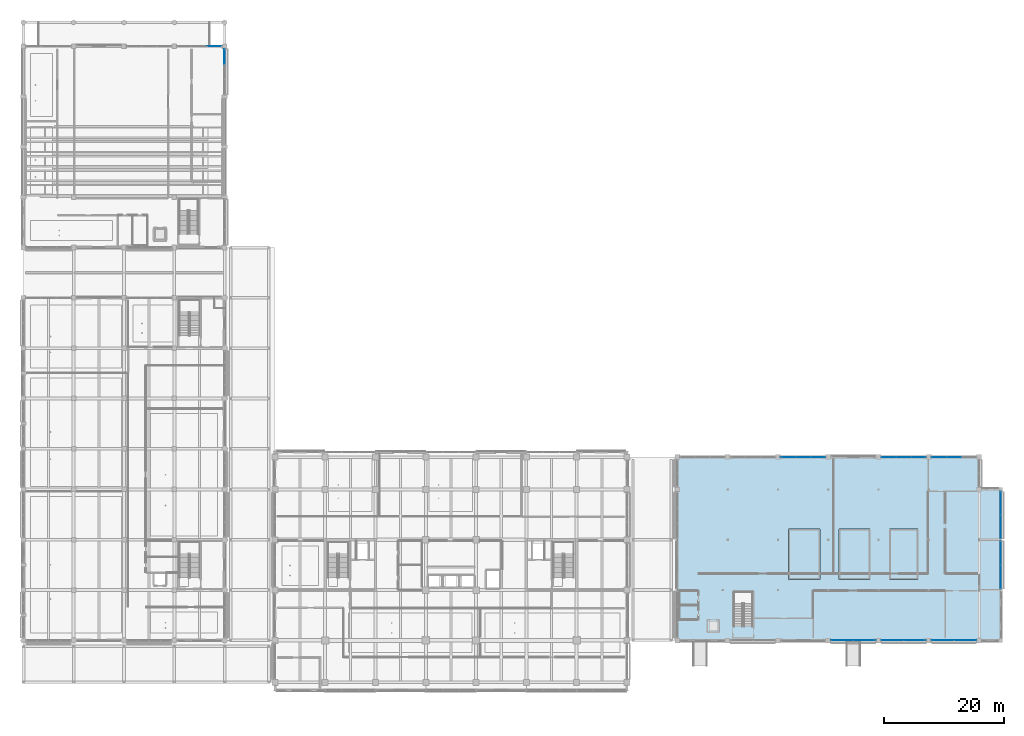
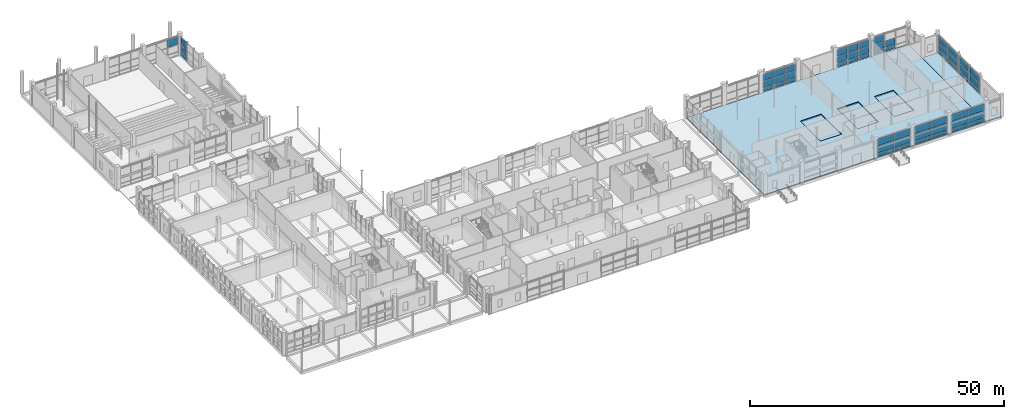
# One storey, part 51 of 140: 57 plates, 5 slabs, 10 elements without a shape of their own.
"""IFC4 building model written with IfcOpenShell, lengths in metres."""

from ifc_helpers import new_model, si_unit, direction, frame, origin, origin_2d, place, context, subcontext, project, spatial, polyline, rectangle, outline, extrude, material, layer, layer_set, type_object, element, aggregate, save


model = new_model("IFC4")

# Units and contexts
model_context = context("Model", 3, precision=1e-05, world=origin(), true_north=direction((0.0, 1.0)))
body_context = subcontext(model_context, "Body", "Model", "MODEL_VIEW")
ifc_project = project(units=[si_unit("LENGTHUNIT", "METRE"), si_unit("AREAUNIT", "SQUARE_METRE"), si_unit("VOLUMEUNIT", "CUBIC_METRE"), si_unit("PLANEANGLEUNIT", "RADIAN"), si_unit("MASSUNIT", "GRAM", prefix="KILO")], contexts=[model_context])

# Site, building, storey
site_placement = place(None, origin())
site = spatial("IfcSite", under=ifc_project, at=site_placement, CompositionType="ELEMENT")
building_placement = place(site_placement, origin())
building = spatial("IfcBuilding", under=site, at=building_placement, Name="Telukmera Botanical Conservatory", CompositionType="ELEMENT")
storey_placement = place(building_placement, origin())
storey = spatial("IfcBuildingStorey", under=building, at=storey_placement, Name="L00", CompositionType="ELEMENT", Elevation=0.0)

# Curtain wall, plate
ifc_material_1 = material(Name="Anodised aluminium 6063-T6", Category="aluminium")
ifc_layer_1 = layer(ifc_material_1, 0.179931640625)
ifc_layer_set_1 = layer_set([ifc_layer_1], Name="Anodised aluminium 6063-T6")
curtain_wall_type_1 = type_object("IfcCurtainWallType", Name="Auditorium Ground Foyer Acoustic Curtain Wall", PredefinedType="USERDEFINED", material=ifc_layer_set_1)
curtain_wall_1_placement = place(storey_placement, origin())
curtain_wall_1 = element("IfcCurtainWall", 1, at=curtain_wall_1_placement, inside=storey, type_object=curtain_wall_type_1, Name="Unitised Curtain Wall CW04 V2:L00:N4", ObjectType="UNITISED CURTAIN WALL", PredefinedType="USERDEFINED")
ifc_material_2 = material(Name="Spectrally selective low-E double glazing", Category="glass")
ifc_layer_2 = layer(ifc_material_2, 0.044921875)
ifc_layer_set_2 = layer_set([ifc_layer_2], Name="Spectrally selective low-E double glazing")
plate_type_1 = type_object("IfcPlateType", Name="Acoustic Triple Laminated Foyer Glazing Panel 45", PredefinedType="CURTAIN_PANEL", material=ifc_layer_set_2)
plate_1_placement = place(storey_placement, frame((40.314453125, 116.800048828125, 2.72509765625), z_axis=(0.0, 0.0, 1.0), x_axis=(1.0, 0.0, 0.0)))
plate_1 = element("IfcPlate", 2, at=plate_1_placement, type_object=plate_type_1, Name="CW04 panel 3.3", PredefinedType="CURTAIN_PANEL", context=body_context, shape_type="SweptSolid", body=[
    extrude(rectangle(XDim=2.427001953125, YDim=0.044921875, at=origin_2d()), origin(), (0.0, 0.0, 1.0), 1.77490234375),
])
aggregate(curtain_wall_1, [plate_1])

# Curtain wall, plates
curtain_wall_2_placement = place(storey_placement, origin())
curtain_wall_2 = element("IfcCurtainWall", 3, at=curtain_wall_2_placement, inside=storey, type_object=curtain_wall_type_1, Name="Unitised Curtain Wall CW04 V2:L00:E4", ObjectType="UNITISED CURTAIN WALL", PredefinedType="USERDEFINED")
plate_2_placement = place(storey_placement, frame((42.0, 115.097900390625, 0.14990234375), z_axis=(0.0, 0.0, 1.0), x_axis=(0.0, 1.0, 0.0)))
plate_2 = element("IfcPlate", 4, at=plate_2_placement, type_object=plate_type_1, Name="CW04 panel 3.1", PredefinedType="CURTAIN_PANEL", context=body_context, shape_type="SweptSolid", body=[
    extrude(rectangle(XDim=2.46044921875, YDim=0.044921875, at=origin_2d()), origin(), (0.0, 0.0, 1.0), 0.72509765625),
])
plate_3_placement = place(storey_placement, frame((42.0, 115.097900390625, 1.02490234375), z_axis=(0.0, 0.0, 1.0), x_axis=(0.0, 1.0, 0.0)))
plate_3 = element("IfcPlate", 5, at=plate_3_placement, type_object=plate_type_1, Name="CW04 panel 3.2", PredefinedType="CURTAIN_PANEL", context=body_context, shape_type="SweptSolid", body=[
    extrude(rectangle(XDim=2.46044921875, YDim=0.044921875, at=origin_2d()), origin(), (0.0, 0.0, 1.0), 1.550048828125),
])
plate_4_placement = place(storey_placement, frame((42.0, 115.097900390625, 2.72509765625), z_axis=(0.0, 0.0, 1.0), x_axis=(0.0, 1.0, 0.0)))
plate_4 = element("IfcPlate", 6, at=plate_4_placement, type_object=plate_type_1, Name="CW04 panel 3.3", PredefinedType="CURTAIN_PANEL", context=body_context, shape_type="SweptSolid", body=[
    extrude(rectangle(XDim=2.46044921875, YDim=0.044921875, at=origin_2d()), origin(), (0.0, 0.0, 1.0), 1.77490234375),
])
aggregate(curtain_wall_2, [plate_2, plate_3, plate_4])

ifc_layer_3 = layer(ifc_material_1, 0.179931640625)
ifc_layer_set_3 = layer_set([ifc_layer_3], Name="Anodised aluminium 6063-T6")
curtain_wall_type_2 = type_object("IfcCurtainWallType", Name="Conservatory Boulevard Unitised Curtain Wall 3600 Mod", PredefinedType="USERDEFINED", material=ifc_layer_set_3)
curtain_wall_3_placement = place(storey_placement, origin())
curtain_wall_3 = element("IfcCurtainWall", 7, at=curtain_wall_3_placement, inside=storey, type_object=curtain_wall_type_2, Name="Unitised Curtain Wall CW01 V1:L00:S4", ObjectType="UNITISED CURTAIN WALL", PredefinedType="USERDEFINED")
ifc_layer_4 = layer(ifc_material_2, 0.02392578125)
ifc_layer_set_4 = layer_set([ifc_layer_4], Name="Spectrally selective low-E double glazing")
plate_type_2 = type_object("IfcPlateType", Name="High Light Transmission Conservatory Glazing Panel 24", PredefinedType="CURTAIN_PANEL", material=ifc_layer_set_4)
plate_5_placement = place(storey_placement, frame((145.131103515625, 17.60009765625, 0.14990234375), z_axis=(0.0, 0.0, 1.0), x_axis=(1.0, 0.0, 0.0)))
plate_5 = element("IfcPlate", 8, at=plate_5_placement, type_object=plate_type_2, Name="CW01 panel 1.1", PredefinedType="CURTAIN_PANEL", context=body_context, shape_type="SweptSolid", body=[
    extrude(rectangle(XDim=3.66796875, YDim=0.02392578125, at=origin_2d()), origin(), (0.0, 0.0, 1.0), 0.72509765625),
])
plate_6_placement = place(storey_placement, frame((145.131103515625, 17.60009765625, 1.02490234375), z_axis=(0.0, 0.0, 1.0), x_axis=(1.0, 0.0, 0.0)))
plate_6 = element("IfcPlate", 9, at=plate_6_placement, type_object=plate_type_2, Name="CW01 panel 1.2", PredefinedType="CURTAIN_PANEL", context=body_context, shape_type="SweptSolid", body=[
    extrude(rectangle(XDim=3.66796875, YDim=0.02392578125, at=origin_2d()), origin(), (0.0, 0.0, 1.0), 1.550048828125),
])
plate_7_placement = place(storey_placement, frame((145.131103515625, 17.60009765625, 2.72509765625), z_axis=(0.0, 0.0, 1.0), x_axis=(1.0, 0.0, 0.0)))
plate_7 = element("IfcPlate", 10, at=plate_7_placement, type_object=plate_type_2, Name="CW01 panel 1.3", PredefinedType="CURTAIN_PANEL", context=body_context, shape_type="SweptSolid", body=[
    extrude(rectangle(XDim=3.66796875, YDim=0.02392578125, at=origin_2d()), origin(), (0.0, 0.0, 1.0), 1.574951171875),
])
plate_8_placement = place(storey_placement, frame((148.868896484375, 17.60009765625, 0.14990234375), z_axis=(0.0, 0.0, 1.0), x_axis=(1.0, 0.0, 0.0)))
plate_8 = element("IfcPlate", 11, at=plate_8_placement, type_object=plate_type_2, Name="CW01 panel 2.1", PredefinedType="CURTAIN_PANEL", context=body_context, shape_type="SweptSolid", body=[
    extrude(rectangle(XDim=3.66796875, YDim=0.02392578125, at=origin_2d()), origin(), (0.0, 0.0, 1.0), 0.72509765625),
])
plate_9_placement = place(storey_placement, frame((148.868896484375, 17.60009765625, 1.02490234375), z_axis=(0.0, 0.0, 1.0), x_axis=(1.0, 0.0, 0.0)))
plate_9 = element("IfcPlate", 12, at=plate_9_placement, type_object=plate_type_2, Name="CW01 panel 2.2", PredefinedType="CURTAIN_PANEL", context=body_context, shape_type="SweptSolid", body=[
    extrude(rectangle(XDim=3.66796875, YDim=0.02392578125, at=origin_2d()), origin(), (0.0, 0.0, 1.0), 1.550048828125),
])
plate_10_placement = place(storey_placement, frame((148.868896484375, 17.60009765625, 2.72509765625), z_axis=(0.0, 0.0, 1.0), x_axis=(1.0, 0.0, 0.0)))
plate_10 = element("IfcPlate", 13, at=plate_10_placement, type_object=plate_type_2, Name="CW01 panel 2.3", PredefinedType="CURTAIN_PANEL", context=body_context, shape_type="SweptSolid", body=[
    extrude(rectangle(XDim=3.66796875, YDim=0.02392578125, at=origin_2d()), origin(), (0.0, 0.0, 1.0), 1.574951171875),
])
aggregate(curtain_wall_3, [plate_5, plate_6, plate_7, plate_8, plate_9, plate_10])

curtain_wall_4_placement = place(storey_placement, origin())
curtain_wall_4 = element("IfcCurtainWall", 14, at=curtain_wall_4_placement, inside=storey, type_object=curtain_wall_type_2, Name="Unitised Curtain Wall CW01 V1:L00:S5", ObjectType="UNITISED CURTAIN WALL", PredefinedType="USERDEFINED")
plate_11_placement = place(storey_placement, frame((153.531005859375, 17.60009765625, 0.14990234375), z_axis=(0.0, 0.0, 1.0), x_axis=(1.0, 0.0, 0.0)))
plate_11 = element("IfcPlate", 15, at=plate_11_placement, type_object=plate_type_2, Name="CW01 panel 1.1", PredefinedType="CURTAIN_PANEL", context=body_context, shape_type="SweptSolid", body=[
    extrude(rectangle(XDim=3.66796875, YDim=0.02392578125, at=origin_2d()), origin(), (0.0, 0.0, 1.0), 0.72509765625),
])
plate_12_placement = place(storey_placement, frame((153.531005859375, 17.60009765625, 1.02490234375), z_axis=(0.0, 0.0, 1.0), x_axis=(1.0, 0.0, 0.0)))
plate_12 = element("IfcPlate", 16, at=plate_12_placement, type_object=plate_type_2, Name="CW01 panel 1.2", PredefinedType="CURTAIN_PANEL", context=body_context, shape_type="SweptSolid", body=[
    extrude(rectangle(XDim=3.66796875, YDim=0.02392578125, at=origin_2d()), origin(), (0.0, 0.0, 1.0), 1.550048828125),
])
plate_13_placement = place(storey_placement, frame((153.531005859375, 17.60009765625, 2.72509765625), z_axis=(0.0, 0.0, 1.0), x_axis=(1.0, 0.0, 0.0)))
plate_13 = element("IfcPlate", 17, at=plate_13_placement, type_object=plate_type_2, Name="CW01 panel 1.3", PredefinedType="CURTAIN_PANEL", context=body_context, shape_type="SweptSolid", body=[
    extrude(rectangle(XDim=3.66796875, YDim=0.02392578125, at=origin_2d()), origin(), (0.0, 0.0, 1.0), 1.574951171875),
])
plate_14_placement = place(storey_placement, frame((157.26904296875, 17.60009765625, 0.14990234375), z_axis=(0.0, 0.0, 1.0), x_axis=(1.0, 0.0, 0.0)))
plate_14 = element("IfcPlate", 18, at=plate_14_placement, type_object=plate_type_2, Name="CW01 panel 2.1", PredefinedType="CURTAIN_PANEL", context=body_context, shape_type="SweptSolid", body=[
    extrude(rectangle(XDim=3.66796875, YDim=0.02392578125, at=origin_2d()), origin(), (0.0, 0.0, 1.0), 0.72509765625),
])
plate_15_placement = place(storey_placement, frame((157.26904296875, 17.60009765625, 1.02490234375), z_axis=(0.0, 0.0, 1.0), x_axis=(1.0, 0.0, 0.0)))
plate_15 = element("IfcPlate", 19, at=plate_15_placement, type_object=plate_type_2, Name="CW01 panel 2.2", PredefinedType="CURTAIN_PANEL", context=body_context, shape_type="SweptSolid", body=[
    extrude(rectangle(XDim=3.66796875, YDim=0.02392578125, at=origin_2d()), origin(), (0.0, 0.0, 1.0), 1.550048828125),
])
plate_16_placement = place(storey_placement, frame((157.26904296875, 17.60009765625, 2.72509765625), z_axis=(0.0, 0.0, 1.0), x_axis=(1.0, 0.0, 0.0)))
plate_16 = element("IfcPlate", 20, at=plate_16_placement, type_object=plate_type_2, Name="CW01 panel 2.3", PredefinedType="CURTAIN_PANEL", context=body_context, shape_type="SweptSolid", body=[
    extrude(rectangle(XDim=3.66796875, YDim=0.02392578125, at=origin_2d()), origin(), (0.0, 0.0, 1.0), 1.574951171875),
])
aggregate(curtain_wall_4, [plate_11, plate_12, plate_13, plate_14, plate_15, plate_16])

curtain_wall_5_placement = place(storey_placement, origin())
curtain_wall_5 = element("IfcCurtainWall", 21, at=curtain_wall_5_placement, inside=storey, type_object=curtain_wall_type_2, Name="Unitised Curtain Wall CW01 V1:L00:S6", ObjectType="UNITISED CURTAIN WALL", PredefinedType="USERDEFINED")
plate_17_placement = place(storey_placement, frame((161.930908203125, 17.60009765625, 0.14990234375), z_axis=(0.0, 0.0, 1.0), x_axis=(1.0, 0.0, 0.0)))
plate_17 = element("IfcPlate", 22, at=plate_17_placement, type_object=plate_type_2, Name="CW01 panel 1.1", PredefinedType="CURTAIN_PANEL", context=body_context, shape_type="SweptSolid", body=[
    extrude(rectangle(XDim=3.66796875, YDim=0.02392578125, at=origin_2d()), origin(), (0.0, 0.0, 1.0), 0.72509765625),
])
plate_18_placement = place(storey_placement, frame((161.930908203125, 17.60009765625, 1.02490234375), z_axis=(0.0, 0.0, 1.0), x_axis=(1.0, 0.0, 0.0)))
plate_18 = element("IfcPlate", 23, at=plate_18_placement, type_object=plate_type_2, Name="CW01 panel 1.2", PredefinedType="CURTAIN_PANEL", context=body_context, shape_type="SweptSolid", body=[
    extrude(rectangle(XDim=3.66796875, YDim=0.02392578125, at=origin_2d()), origin(), (0.0, 0.0, 1.0), 1.550048828125),
])
plate_19_placement = place(storey_placement, frame((161.930908203125, 17.60009765625, 2.72509765625), z_axis=(0.0, 0.0, 1.0), x_axis=(1.0, 0.0, 0.0)))
plate_19 = element("IfcPlate", 24, at=plate_19_placement, type_object=plate_type_2, Name="CW01 panel 1.3", PredefinedType="CURTAIN_PANEL", context=body_context, shape_type="SweptSolid", body=[
    extrude(rectangle(XDim=3.66796875, YDim=0.02392578125, at=origin_2d()), origin(), (0.0, 0.0, 1.0), 1.574951171875),
])
plate_20_placement = place(storey_placement, frame((165.6689453125, 17.60009765625, 0.14990234375), z_axis=(0.0, 0.0, 1.0), x_axis=(1.0, 0.0, 0.0)))
plate_20 = element("IfcPlate", 25, at=plate_20_placement, type_object=plate_type_2, Name="CW01 panel 2.1", PredefinedType="CURTAIN_PANEL", context=body_context, shape_type="SweptSolid", body=[
    extrude(rectangle(XDim=3.66796875, YDim=0.02392578125, at=origin_2d()), origin(), (0.0, 0.0, 1.0), 0.72509765625),
])
plate_21_placement = place(storey_placement, frame((165.6689453125, 17.60009765625, 1.02490234375), z_axis=(0.0, 0.0, 1.0), x_axis=(1.0, 0.0, 0.0)))
plate_21 = element("IfcPlate", 26, at=plate_21_placement, type_object=plate_type_2, Name="CW01 panel 2.2", PredefinedType="CURTAIN_PANEL", context=body_context, shape_type="SweptSolid", body=[
    extrude(rectangle(XDim=3.66796875, YDim=0.02392578125, at=origin_2d()), origin(), (0.0, 0.0, 1.0), 1.550048828125),
])
plate_22_placement = place(storey_placement, frame((165.6689453125, 17.60009765625, 2.72509765625), z_axis=(0.0, 0.0, 1.0), x_axis=(1.0, 0.0, 0.0)))
plate_22 = element("IfcPlate", 27, at=plate_22_placement, type_object=plate_type_2, Name="CW01 panel 2.3", PredefinedType="CURTAIN_PANEL", context=body_context, shape_type="SweptSolid", body=[
    extrude(rectangle(XDim=3.66796875, YDim=0.02392578125, at=origin_2d()), origin(), (0.0, 0.0, 1.0), 1.574951171875),
])
aggregate(curtain_wall_5, [plate_17, plate_18, plate_19, plate_20, plate_21, plate_22])

curtain_wall_6_placement = place(storey_placement, origin())
curtain_wall_6 = element("IfcCurtainWall", 28, at=curtain_wall_6_placement, inside=storey, type_object=curtain_wall_type_2, Name="Unitised Curtain Wall CW01 V1:L00:E2", ObjectType="UNITISED CURTAIN WALL", PredefinedType="USERDEFINED")
plate_23_placement = place(storey_placement, frame((171.60009765625, 28.19873046875, 0.14990234375), z_axis=(0.0, 0.0, 1.0), x_axis=(0.0, 1.0, 0.0)))
plate_23 = element("IfcPlate", 29, at=plate_23_placement, type_object=plate_type_2, Name="CW01 panel 1.1", PredefinedType="CURTAIN_PANEL", context=body_context, shape_type="SweptSolid", body=[
    extrude(rectangle(XDim=3.9326171875, YDim=0.02392578125, at=origin_2d()), origin(), (0.0, 0.0, 1.0), 0.72509765625),
])
plate_24_placement = place(storey_placement, frame((171.60009765625, 28.19873046875, 1.02490234375), z_axis=(0.0, 0.0, 1.0), x_axis=(0.0, 1.0, 0.0)))
plate_24 = element("IfcPlate", 30, at=plate_24_placement, type_object=plate_type_2, Name="CW01 panel 1.2", PredefinedType="CURTAIN_PANEL", context=body_context, shape_type="SweptSolid", body=[
    extrude(rectangle(XDim=3.9326171875, YDim=0.02392578125, at=origin_2d()), origin(), (0.0, 0.0, 1.0), 1.550048828125),
])
plate_25_placement = place(storey_placement, frame((171.60009765625, 28.19873046875, 2.72509765625), z_axis=(0.0, 0.0, 1.0), x_axis=(0.0, 1.0, 0.0)))
plate_25 = element("IfcPlate", 31, at=plate_25_placement, type_object=plate_type_2, Name="CW01 panel 1.3", PredefinedType="CURTAIN_PANEL", context=body_context, shape_type="SweptSolid", body=[
    extrude(rectangle(XDim=3.9326171875, YDim=0.02392578125, at=origin_2d()), origin(), (0.0, 0.0, 1.0), 1.574951171875),
])
plate_26_placement = place(storey_placement, frame((171.60009765625, 32.201416015625, 0.14990234375), z_axis=(0.0, 0.0, 1.0), x_axis=(0.0, 1.0, 0.0)))
plate_26 = element("IfcPlate", 32, at=plate_26_placement, type_object=plate_type_2, Name="CW01 panel 2.1", PredefinedType="CURTAIN_PANEL", context=body_context, shape_type="SweptSolid", body=[
    extrude(rectangle(XDim=3.9326171875, YDim=0.02392578125, at=origin_2d()), origin(), (0.0, 0.0, 1.0), 0.72509765625),
])
plate_27_placement = place(storey_placement, frame((171.60009765625, 32.201416015625, 1.02490234375), z_axis=(0.0, 0.0, 1.0), x_axis=(0.0, 1.0, 0.0)))
plate_27 = element("IfcPlate", 33, at=plate_27_placement, type_object=plate_type_2, Name="CW01 panel 2.2", PredefinedType="CURTAIN_PANEL", context=body_context, shape_type="SweptSolid", body=[
    extrude(rectangle(XDim=3.9326171875, YDim=0.02392578125, at=origin_2d()), origin(), (0.0, 0.0, 1.0), 1.550048828125),
])
plate_28_placement = place(storey_placement, frame((171.60009765625, 32.201416015625, 2.72509765625), z_axis=(0.0, 0.0, 1.0), x_axis=(0.0, 1.0, 0.0)))
plate_28 = element("IfcPlate", 34, at=plate_28_placement, type_object=plate_type_2, Name="CW01 panel 2.3", PredefinedType="CURTAIN_PANEL", context=body_context, shape_type="SweptSolid", body=[
    extrude(rectangle(XDim=3.9326171875, YDim=0.02392578125, at=origin_2d()), origin(), (0.0, 0.0, 1.0), 1.574951171875),
])
aggregate(curtain_wall_6, [plate_23, plate_24, plate_25, plate_26, plate_27, plate_28])

curtain_wall_7_placement = place(storey_placement, origin())
curtain_wall_7 = element("IfcCurtainWall", 35, at=curtain_wall_7_placement, inside=storey, type_object=curtain_wall_type_2, Name="Unitised Curtain Wall CW01 V1:L00:E3", ObjectType="UNITISED CURTAIN WALL", PredefinedType="USERDEFINED")
plate_29_placement = place(storey_placement, frame((171.60009765625, 36.557373046875, 0.14990234375), z_axis=(0.0, 0.0, 1.0), x_axis=(0.0, 1.0, 0.0)))
plate_29 = element("IfcPlate", 36, at=plate_29_placement, type_object=plate_type_2, Name="CW01 panel 1.1", PredefinedType="CURTAIN_PANEL", context=body_context, shape_type="SweptSolid", body=[
    extrude(rectangle(XDim=3.850341796875, YDim=0.02392578125, at=origin_2d()), origin(), (0.0, 0.0, 1.0), 0.72509765625),
])
plate_30_placement = place(storey_placement, frame((171.60009765625, 36.557373046875, 1.02490234375), z_axis=(0.0, 0.0, 1.0), x_axis=(0.0, 1.0, 0.0)))
plate_30 = element("IfcPlate", 37, at=plate_30_placement, type_object=plate_type_2, Name="CW01 panel 1.2", PredefinedType="CURTAIN_PANEL", context=body_context, shape_type="SweptSolid", body=[
    extrude(rectangle(XDim=3.850341796875, YDim=0.02392578125, at=origin_2d()), origin(), (0.0, 0.0, 1.0), 1.550048828125),
])
plate_31_placement = place(storey_placement, frame((171.60009765625, 36.557373046875, 2.72509765625), z_axis=(0.0, 0.0, 1.0), x_axis=(0.0, 1.0, 0.0)))
plate_31 = element("IfcPlate", 38, at=plate_31_placement, type_object=plate_type_2, Name="CW01 panel 1.3", PredefinedType="CURTAIN_PANEL", context=body_context, shape_type="SweptSolid", body=[
    extrude(rectangle(XDim=3.850341796875, YDim=0.02392578125, at=origin_2d()), origin(), (0.0, 0.0, 1.0), 1.574951171875),
])
plate_32_placement = place(storey_placement, frame((171.60009765625, 40.477783203125, 0.14990234375), z_axis=(0.0, 0.0, 1.0), x_axis=(0.0, 1.0, 0.0)))
plate_32 = element("IfcPlate", 39, at=plate_32_placement, type_object=plate_type_2, Name="CW01 panel 2.1", PredefinedType="CURTAIN_PANEL", context=body_context, shape_type="SweptSolid", body=[
    extrude(rectangle(XDim=3.850341796875, YDim=0.02392578125, at=origin_2d()), origin(), (0.0, 0.0, 1.0), 0.72509765625),
])
plate_33_placement = place(storey_placement, frame((171.60009765625, 40.477783203125, 1.02490234375), z_axis=(0.0, 0.0, 1.0), x_axis=(0.0, 1.0, 0.0)))
plate_33 = element("IfcPlate", 40, at=plate_33_placement, type_object=plate_type_2, Name="CW01 panel 2.2", PredefinedType="CURTAIN_PANEL", context=body_context, shape_type="SweptSolid", body=[
    extrude(rectangle(XDim=3.850341796875, YDim=0.02392578125, at=origin_2d()), origin(), (0.0, 0.0, 1.0), 1.550048828125),
])
plate_34_placement = place(storey_placement, frame((171.60009765625, 40.477783203125, 2.72509765625), z_axis=(0.0, 0.0, 1.0), x_axis=(0.0, 1.0, 0.0)))
plate_34 = element("IfcPlate", 41, at=plate_34_placement, type_object=plate_type_2, Name="CW01 panel 2.3", PredefinedType="CURTAIN_PANEL", context=body_context, shape_type="SweptSolid", body=[
    extrude(rectangle(XDim=3.850341796875, YDim=0.02392578125, at=origin_2d()), origin(), (0.0, 0.0, 1.0), 1.574951171875),
])
aggregate(curtain_wall_7, [plate_29, plate_30, plate_31, plate_32, plate_33, plate_34])

# Slabs
ifc_material_3 = material(Name="Concrete C40/50", Category="concrete")
ifc_layer_5 = layer(ifc_material_3, 0.199951171875)
ifc_layer_set_5 = layer_set([ifc_layer_5], Name="Concrete C40/50")
slab_type_1 = type_object("IfcSlabType", Name="Slab_FS20", PredefinedType="FLOOR", material=ifc_layer_set_5)
slab_1_placement = place(storey_placement, frame((0.0, 0.0, -0.64990234375)))
element("IfcSlab", 42, at=slab_1_placement, inside=storey, type_object=slab_type_1, Name="Conservatory Tropical Soil Bed Trough Bottom Slab 1", PredefinedType="FLOOR", context=body_context, shape_type="SweptSolid", body=[
    extrude(outline(polyline([(136.199951171875, 27.800048828125), (141.39990234375, 27.800048828125), (141.39990234375, 36.199951171875), (136.199951171875, 36.199951171875), (136.199951171875, 27.800048828125)])), origin(), (0.0, 0.0, 1.0), 0.199951171875),
])
slab_2_placement = place(storey_placement, frame((0.0, 0.0, -0.64990234375)))
element("IfcSlab", 43, at=slab_2_placement, inside=storey, type_object=slab_type_1, Name="Conservatory Tropical Soil Bed Trough Bottom Slab 2", PredefinedType="FLOOR", context=body_context, shape_type="SweptSolid", body=[
    extrude(outline(polyline([(144.60009765625, 27.800048828125), (149.800048828125, 27.800048828125), (149.800048828125, 36.199951171875), (144.60009765625, 36.199951171875), (144.60009765625, 27.800048828125)])), origin(), (0.0, 0.0, 1.0), 0.199951171875),
])
slab_3_placement = place(storey_placement, frame((0.0, 0.0, -0.64990234375)))
element("IfcSlab", 44, at=slab_3_placement, inside=storey, type_object=slab_type_1, Name="Conservatory Tropical Soil Bed Trough Bottom Slab 3", PredefinedType="FLOOR", context=body_context, shape_type="SweptSolid", body=[
    extrude(outline(polyline([(153.0, 27.800048828125), (157.800048828125, 27.800048828125), (157.800048828125, 36.199951171875), (153.0, 36.199951171875), (153.0, 27.800048828125)])), origin(), (0.0, 0.0, 1.0), 0.199951171875),
])
slab_4_placement = place(storey_placement, frame((0.0, 0.0, -0.199951171875)))
element("IfcSlab", 45, at=slab_4_placement, inside=storey, type_object=slab_type_1, Name="Conservatory East Quarantine and Potting Floor Slab", PredefinedType="FLOOR", context=body_context, shape_type="SweptSolid", body=[
    extrude(outline(polyline([(168.0, 17.60009765625), (171.60009765625, 17.60009765625), (171.60009765625, 42.800048828125), (168.0, 42.800048828125), (168.0, 17.60009765625)])), origin(), (0.0, 0.0, 1.0), 0.199951171875),
])
ifc_layer_6 = layer(ifc_material_3, 0.219970703125)
ifc_layer_set_6 = layer_set([ifc_layer_6], Name="Concrete C40/50")
slab_type_2 = type_object("IfcSlabType", Name="Slab_FS22", PredefinedType="FLOOR", material=ifc_layer_set_6)
slab_5_placement = place(storey_placement, frame((0.0, 0.0, -0.219970703125)))
element("IfcSlab", 46, at=slab_5_placement, inside=storey, type_object=slab_type_2, Name="Conservatory Ground Floor Slab with Tropical Soil Bed Cutouts", PredefinedType="FLOOR", context=body_context, shape_type="SweptSolid", body=[
    extrude(outline(polyline([(117.60009765625, 17.60009765625), (168.0, 17.60009765625), (168.0, 48.199951171875), (117.60009765625, 48.199951171875), (117.60009765625, 17.60009765625)]), holes=[polyline([(136.39990234375, 28.0), (141.199951171875, 28.0), (141.199951171875, 36.0), (136.39990234375, 36.0), (136.39990234375, 28.0)]), polyline([(144.800048828125, 28.0), (149.60009765625, 28.0), (149.60009765625, 36.0), (144.800048828125, 36.0), (144.800048828125, 28.0)]), polyline([(153.199951171875, 28.0), (157.60009765625, 28.0), (157.60009765625, 36.0), (153.199951171875, 36.0), (153.199951171875, 28.0)])]), origin(), (0.0, 0.0, 1.0), 0.219970703125),
])

# Curtain wall, plates
ifc_layer_7 = layer(ifc_material_1, 0.179931640625)
ifc_layer_set_7 = layer_set([ifc_layer_7], Name="Anodised aluminium 6063-T6")
curtain_wall_type_3 = type_object("IfcCurtainWallType", Name="Conservatory Garden Unitised Curtain Wall 2800 Mod", PredefinedType="USERDEFINED", material=ifc_layer_set_7)
curtain_wall_8_placement = place(storey_placement, origin())
curtain_wall_8 = element("IfcCurtainWall", 47, at=curtain_wall_8_placement, inside=storey, type_object=curtain_wall_type_3, Name="Unitised Curtain Wall CW02 V1:L00:N3", ObjectType="UNITISED CURTAIN WALL", PredefinedType="USERDEFINED")
ifc_layer_8 = layer(ifc_material_2, 0.028076171875)
ifc_layer_set_8 = layer_set([ifc_layer_8], Name="Spectrally selective low-E double glazing")
plate_type_3 = type_object("IfcPlateType", Name="Spectrally Selective Vision Double Glazing Panel 28", PredefinedType="CURTAIN_PANEL", material=ifc_layer_set_8)
plate_35_placement = place(storey_placement, frame((136.10205078125, 48.199951171875, 0.14990234375), z_axis=(0.0, 0.0, 1.0), x_axis=(1.0, 0.0, 0.0)))
plate_35 = element("IfcPlate", 48, at=plate_35_placement, type_object=plate_type_3, Name="CW02 panel 1.1", PredefinedType="CURTAIN_PANEL", context=body_context, shape_type="SweptSolid", body=[
    extrude(rectangle(XDim=2.410400390625, YDim=0.028076171875, at=origin_2d()), origin(), (0.0, 0.0, 1.0), 0.72509765625),
])
plate_36_placement = place(storey_placement, frame((136.10205078125, 48.199951171875, 1.02490234375), z_axis=(0.0, 0.0, 1.0), x_axis=(1.0, 0.0, 0.0)))
plate_36 = element("IfcPlate", 49, at=plate_36_placement, type_object=plate_type_3, Name="CW02 panel 1.2", PredefinedType="CURTAIN_PANEL", context=body_context, shape_type="SweptSolid", body=[
    extrude(rectangle(XDim=2.410400390625, YDim=0.028076171875, at=origin_2d()), origin(), (0.0, 0.0, 1.0), 1.550048828125),
])
plate_37_placement = place(storey_placement, frame((136.10205078125, 48.199951171875, 2.72509765625), z_axis=(0.0, 0.0, 1.0), x_axis=(1.0, 0.0, 0.0)))
plate_37 = element("IfcPlate", 50, at=plate_37_placement, type_object=plate_type_3, Name="CW02 panel 1.3", PredefinedType="CURTAIN_PANEL", context=body_context, shape_type="SweptSolid", body=[
    extrude(rectangle(XDim=2.410400390625, YDim=0.028076171875, at=origin_2d()), origin(), (0.0, 0.0, 1.0), 1.574951171875),
])
plate_38_placement = place(storey_placement, frame((138.60009765625, 48.199951171875, 0.14990234375), z_axis=(0.0, 0.0, 1.0), x_axis=(1.0, 0.0, 0.0)))
plate_38 = element("IfcPlate", 51, at=plate_38_placement, type_object=plate_type_3, Name="CW02 panel 2.1", PredefinedType="CURTAIN_PANEL", context=body_context, shape_type="SweptSolid", body=[
    extrude(rectangle(XDim=2.4453125, YDim=0.028076171875, at=origin_2d()), origin(), (0.0, 0.0, 1.0), 0.72509765625),
])
plate_39_placement = place(storey_placement, frame((138.60009765625, 48.199951171875, 1.02490234375), z_axis=(0.0, 0.0, 1.0), x_axis=(1.0, 0.0, 0.0)))
plate_39 = element("IfcPlate", 52, at=plate_39_placement, type_object=plate_type_3, Name="CW02 panel 2.2", PredefinedType="CURTAIN_PANEL", context=body_context, shape_type="SweptSolid", body=[
    extrude(rectangle(XDim=2.4453125, YDim=0.028076171875, at=origin_2d()), origin(), (0.0, 0.0, 1.0), 1.550048828125),
])
plate_40_placement = place(storey_placement, frame((138.60009765625, 48.199951171875, 2.72509765625), z_axis=(0.0, 0.0, 1.0), x_axis=(1.0, 0.0, 0.0)))
plate_40 = element("IfcPlate", 53, at=plate_40_placement, type_object=plate_type_3, Name="CW02 panel 2.3", PredefinedType="CURTAIN_PANEL", context=body_context, shape_type="SweptSolid", body=[
    extrude(rectangle(XDim=2.4453125, YDim=0.028076171875, at=origin_2d()), origin(), (0.0, 0.0, 1.0), 1.574951171875),
])
plate_41_placement = place(storey_placement, frame((141.097900390625, 48.199951171875, 0.14990234375), z_axis=(0.0, 0.0, 1.0), x_axis=(1.0, 0.0, 0.0)))
plate_41 = element("IfcPlate", 54, at=plate_41_placement, type_object=plate_type_3, Name="CW02 panel 3.1", PredefinedType="CURTAIN_PANEL", context=body_context, shape_type="SweptSolid", body=[
    extrude(rectangle(XDim=2.410400390625, YDim=0.028076171875, at=origin_2d()), origin(), (0.0, 0.0, 1.0), 0.72509765625),
])
plate_42_placement = place(storey_placement, frame((141.097900390625, 48.199951171875, 1.02490234375), z_axis=(0.0, 0.0, 1.0), x_axis=(1.0, 0.0, 0.0)))
plate_42 = element("IfcPlate", 55, at=plate_42_placement, type_object=plate_type_3, Name="CW02 panel 3.2", PredefinedType="CURTAIN_PANEL", context=body_context, shape_type="SweptSolid", body=[
    extrude(rectangle(XDim=2.410400390625, YDim=0.028076171875, at=origin_2d()), origin(), (0.0, 0.0, 1.0), 1.550048828125),
])
plate_43_placement = place(storey_placement, frame((141.097900390625, 48.199951171875, 2.72509765625), z_axis=(0.0, 0.0, 1.0), x_axis=(1.0, 0.0, 0.0)))
plate_43 = element("IfcPlate", 56, at=plate_43_placement, type_object=plate_type_3, Name="CW02 panel 3.3", PredefinedType="CURTAIN_PANEL", context=body_context, shape_type="SweptSolid", body=[
    extrude(rectangle(XDim=2.410400390625, YDim=0.028076171875, at=origin_2d()), origin(), (0.0, 0.0, 1.0), 1.574951171875),
])
aggregate(curtain_wall_8, [plate_35, plate_36, plate_37, plate_38, plate_39, plate_40, plate_41, plate_42, plate_43])

curtain_wall_9_placement = place(storey_placement, origin())
curtain_wall_9 = element("IfcCurtainWall", 57, at=curtain_wall_9_placement, inside=storey, type_object=curtain_wall_type_3, Name="Unitised Curtain Wall CW02 V1:L00:N5", ObjectType="UNITISED CURTAIN WALL", PredefinedType="USERDEFINED")
plate_44_placement = place(storey_placement, frame((152.902099609375, 48.199951171875, 0.14990234375), z_axis=(0.0, 0.0, 1.0), x_axis=(1.0, 0.0, 0.0)))
plate_44 = element("IfcPlate", 58, at=plate_44_placement, type_object=plate_type_3, Name="CW02 panel 1.1", PredefinedType="CURTAIN_PANEL", context=body_context, shape_type="SweptSolid", body=[
    extrude(rectangle(XDim=2.410400390625, YDim=0.028076171875, at=origin_2d()), origin(), (0.0, 0.0, 1.0), 0.72509765625),
])
plate_45_placement = place(storey_placement, frame((152.902099609375, 48.199951171875, 1.02490234375), z_axis=(0.0, 0.0, 1.0), x_axis=(1.0, 0.0, 0.0)))
plate_45 = element("IfcPlate", 59, at=plate_45_placement, type_object=plate_type_3, Name="CW02 panel 1.2", PredefinedType="CURTAIN_PANEL", context=body_context, shape_type="SweptSolid", body=[
    extrude(rectangle(XDim=2.410400390625, YDim=0.028076171875, at=origin_2d()), origin(), (0.0, 0.0, 1.0), 1.550048828125),
])
plate_46_placement = place(storey_placement, frame((152.902099609375, 48.199951171875, 2.72509765625), z_axis=(0.0, 0.0, 1.0), x_axis=(1.0, 0.0, 0.0)))
plate_46 = element("IfcPlate", 60, at=plate_46_placement, type_object=plate_type_3, Name="CW02 panel 1.3", PredefinedType="CURTAIN_PANEL", context=body_context, shape_type="SweptSolid", body=[
    extrude(rectangle(XDim=2.410400390625, YDim=0.028076171875, at=origin_2d()), origin(), (0.0, 0.0, 1.0), 1.574951171875),
])
plate_47_placement = place(storey_placement, frame((155.39990234375, 48.199951171875, 0.14990234375), z_axis=(0.0, 0.0, 1.0), x_axis=(1.0, 0.0, 0.0)))
plate_47 = element("IfcPlate", 61, at=plate_47_placement, type_object=plate_type_3, Name="CW02 panel 2.1", PredefinedType="CURTAIN_PANEL", context=body_context, shape_type="SweptSolid", body=[
    extrude(rectangle(XDim=2.4453125, YDim=0.028076171875, at=origin_2d()), origin(), (0.0, 0.0, 1.0), 0.72509765625),
])
plate_48_placement = place(storey_placement, frame((155.39990234375, 48.199951171875, 1.02490234375), z_axis=(0.0, 0.0, 1.0), x_axis=(1.0, 0.0, 0.0)))
plate_48 = element("IfcPlate", 62, at=plate_48_placement, type_object=plate_type_3, Name="CW02 panel 2.2", PredefinedType="CURTAIN_PANEL", context=body_context, shape_type="SweptSolid", body=[
    extrude(rectangle(XDim=2.4453125, YDim=0.028076171875, at=origin_2d()), origin(), (0.0, 0.0, 1.0), 1.550048828125),
])
plate_49_placement = place(storey_placement, frame((155.39990234375, 48.199951171875, 2.72509765625), z_axis=(0.0, 0.0, 1.0), x_axis=(1.0, 0.0, 0.0)))
plate_49 = element("IfcPlate", 63, at=plate_49_placement, type_object=plate_type_3, Name="CW02 panel 2.3", PredefinedType="CURTAIN_PANEL", context=body_context, shape_type="SweptSolid", body=[
    extrude(rectangle(XDim=2.4453125, YDim=0.028076171875, at=origin_2d()), origin(), (0.0, 0.0, 1.0), 1.574951171875),
])
plate_50_placement = place(storey_placement, frame((157.89794921875, 48.199951171875, 0.14990234375), z_axis=(0.0, 0.0, 1.0), x_axis=(1.0, 0.0, 0.0)))
plate_50 = element("IfcPlate", 64, at=plate_50_placement, type_object=plate_type_3, Name="CW02 panel 3.1", PredefinedType="CURTAIN_PANEL", context=body_context, shape_type="SweptSolid", body=[
    extrude(rectangle(XDim=2.410400390625, YDim=0.028076171875, at=origin_2d()), origin(), (0.0, 0.0, 1.0), 0.72509765625),
])
plate_51_placement = place(storey_placement, frame((157.89794921875, 48.199951171875, 1.02490234375), z_axis=(0.0, 0.0, 1.0), x_axis=(1.0, 0.0, 0.0)))
plate_51 = element("IfcPlate", 65, at=plate_51_placement, type_object=plate_type_3, Name="CW02 panel 3.2", PredefinedType="CURTAIN_PANEL", context=body_context, shape_type="SweptSolid", body=[
    extrude(rectangle(XDim=2.410400390625, YDim=0.028076171875, at=origin_2d()), origin(), (0.0, 0.0, 1.0), 1.550048828125),
])
plate_52_placement = place(storey_placement, frame((157.89794921875, 48.199951171875, 2.72509765625), z_axis=(0.0, 0.0, 1.0), x_axis=(1.0, 0.0, 0.0)))
plate_52 = element("IfcPlate", 66, at=plate_52_placement, type_object=plate_type_3, Name="CW02 panel 3.3", PredefinedType="CURTAIN_PANEL", context=body_context, shape_type="SweptSolid", body=[
    extrude(rectangle(XDim=2.410400390625, YDim=0.028076171875, at=origin_2d()), origin(), (0.0, 0.0, 1.0), 1.574951171875),
])
aggregate(curtain_wall_9, [plate_44, plate_45, plate_46, plate_47, plate_48, plate_49, plate_50, plate_51, plate_52])

curtain_wall_10_placement = place(storey_placement, origin())
curtain_wall_10 = element("IfcCurtainWall", 67, at=curtain_wall_10_placement, inside=storey, type_object=curtain_wall_type_3, Name="Unitised Curtain Wall CW02 V1:L00:N6", ObjectType="UNITISED CURTAIN WALL", PredefinedType="USERDEFINED")
plate_53_placement = place(storey_placement, frame((161.30224609375, 48.199951171875, 0.14990234375), z_axis=(0.0, 0.0, 1.0), x_axis=(1.0, 0.0, 0.0)))
plate_53 = element("IfcPlate", 68, at=plate_53_placement, type_object=plate_type_3, Name="CW02 panel 1.1", PredefinedType="CURTAIN_PANEL", context=body_context, shape_type="SweptSolid", body=[
    extrude(rectangle(XDim=2.410400390625, YDim=0.028076171875, at=origin_2d()), origin(), (0.0, 0.0, 1.0), 0.72509765625),
])
plate_54_placement = place(storey_placement, frame((161.30224609375, 48.199951171875, 1.02490234375), z_axis=(0.0, 0.0, 1.0), x_axis=(1.0, 0.0, 0.0)))
plate_54 = element("IfcPlate", 69, at=plate_54_placement, type_object=plate_type_3, Name="CW02 panel 1.2", PredefinedType="CURTAIN_PANEL", context=body_context, shape_type="SweptSolid", body=[
    extrude(rectangle(XDim=2.410400390625, YDim=0.028076171875, at=origin_2d()), origin(), (0.0, 0.0, 1.0), 1.550048828125),
])
plate_55_placement = place(storey_placement, frame((161.30224609375, 48.199951171875, 2.72509765625), z_axis=(0.0, 0.0, 1.0), x_axis=(1.0, 0.0, 0.0)))
plate_55 = element("IfcPlate", 70, at=plate_55_placement, type_object=plate_type_3, Name="CW02 panel 1.3", PredefinedType="CURTAIN_PANEL", context=body_context, shape_type="SweptSolid", body=[
    extrude(rectangle(XDim=2.410400390625, YDim=0.028076171875, at=origin_2d()), origin(), (0.0, 0.0, 1.0), 1.574951171875),
])
plate_56_placement = place(storey_placement, frame((163.800048828125, 48.199951171875, 0.14990234375), z_axis=(0.0, 0.0, 1.0), x_axis=(1.0, 0.0, 0.0)))
plate_56 = element("IfcPlate", 71, at=plate_56_placement, type_object=plate_type_3, Name="CW02 panel 2.1", PredefinedType="CURTAIN_PANEL", context=body_context, shape_type="SweptSolid", body=[
    extrude(rectangle(XDim=2.4453125, YDim=0.028076171875, at=origin_2d()), origin(), (0.0, 0.0, 1.0), 0.72509765625),
])
plate_57_placement = place(storey_placement, frame((163.800048828125, 48.199951171875, 1.02490234375), z_axis=(0.0, 0.0, 1.0), x_axis=(1.0, 0.0, 0.0)))
plate_57 = element("IfcPlate", 72, at=plate_57_placement, type_object=plate_type_3, Name="CW02 panel 2.2", PredefinedType="CURTAIN_PANEL", context=body_context, shape_type="SweptSolid", body=[
    extrude(rectangle(XDim=2.4453125, YDim=0.028076171875, at=origin_2d()), origin(), (0.0, 0.0, 1.0), 1.550048828125),
])
aggregate(curtain_wall_10, [plate_53, plate_54, plate_55, plate_56, plate_57])

save(model, "model.ifc")
